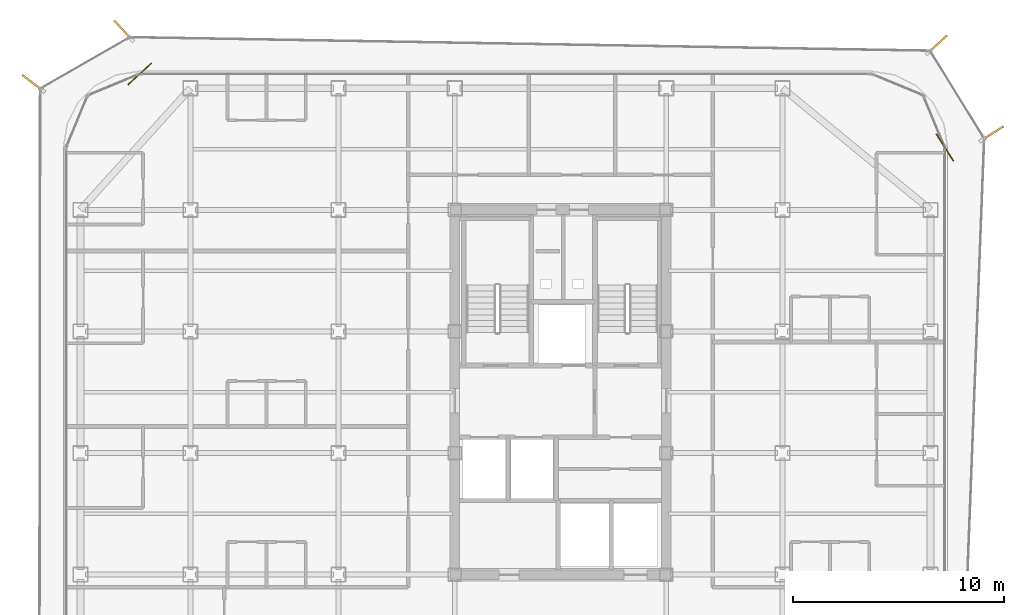
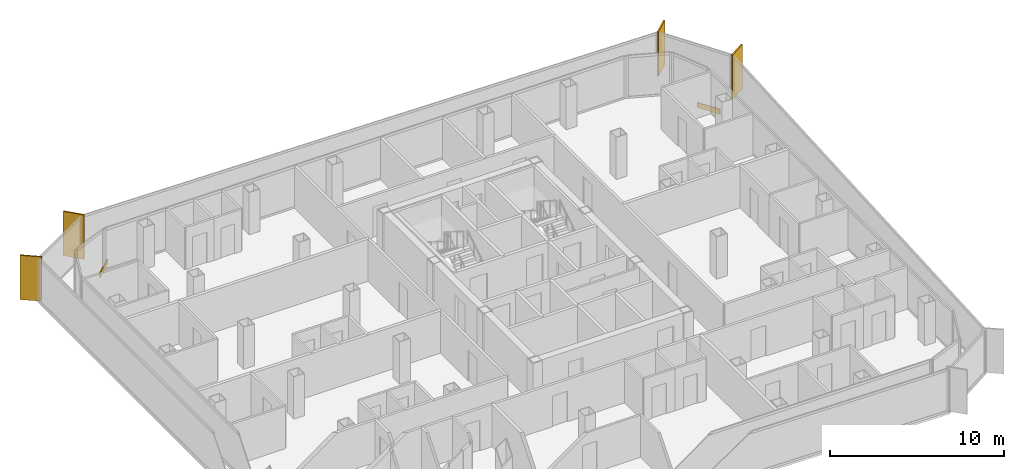
# One storey, part 16 of 16: 4 shading devices, 2 coverings.
"""IFC4 building model written with IfcOpenShell, lengths in metres."""

from ifc_helpers import new_model, si_unit, direction, frame, origin, origin_2d, place, context, subcontext, project, spatial, rectangle, extrude, source, transform, mapped, material, layer, layer_set, type_object, element, save


model = new_model("IFC4")

# Units and contexts
model_context = context("Model", 3, precision=1e-05, world=origin(), true_north=direction((0.0, 1.0)))
body_context = subcontext(model_context, "Body", "Model", "MODEL_VIEW")
ifc_project = project(units=[si_unit("LENGTHUNIT", "METRE"), si_unit("AREAUNIT", "SQUARE_METRE"), si_unit("VOLUMEUNIT", "CUBIC_METRE"), si_unit("PLANEANGLEUNIT", "RADIAN"), si_unit("MASSUNIT", "GRAM", prefix="KILO")], contexts=[model_context])

# Site, building, storey
site_placement = place(None, origin())
site = spatial("IfcSite", under=ifc_project, at=site_placement, CompositionType="ELEMENT")
building_placement = place(site_placement, origin())
building = spatial("IfcBuilding", under=site, at=building_placement, Name="Kolveth Station Tower", CompositionType="ELEMENT")
storey_placement = place(building_placement, frame((0.0, 0.0, 156.10009765625)))
storey = spatial("IfcBuildingStorey", under=building, at=storey_placement, Name="L43", CompositionType="ELEMENT", Elevation=156.10009765625)

# Shading devices
ifc_material_1 = material(Name="Black anodized aluminium 6063-T6", Category="aluminium")
shading_device_type = type_object("IfcShadingDeviceType", Name="FIN_VF1", PredefinedType="USERDEFINED", material=ifc_material_1)
shared_shape_1 = source(origin(), body_context, "Body", "SweptSolid", [
    extrude(rectangle(XDim=1.25, YDim=0.090087890625, at=origin_2d()), origin(), (0.0, 0.0, 1.0), 3.10009765625),
])
for number, where, z_axis, x_axis, name in (
    (1, (43.925048828125, 32.364990234375, -0.000244140625), (0.0, 0.0, 1.0), (0.84264041216, 0.538476680827, 0.0), "L43 Dark-Aluminium Solar Fin 3"),
    (2, (41.322021484375, 36.575927734375, -0.000244140625), (0.0, 0.0, 1.0), (0.73349265005, 0.679697382902, 0.0), "L43 Dark-Aluminium Solar Fin 4"),
    (3, (2.821044921875, 37.239990234375, -0.000244140625), (0.0, 0.0, 1.0), (-0.678159669868, 0.73491459515, 0.0), "L43 Dark-Aluminium Solar Fin 5"),
    (4, (-1.4580078125, 34.75390625, -0.000244140625), (0.0, 0.0, 1.0), (-0.794202557977, 0.607653105729, 0.0), "L43 Dark-Aluminium Solar Fin 6"),
):
    element("IfcShadingDevice", number, at=place(storey_placement, frame(where, z_axis=z_axis, x_axis=x_axis)), inside=storey, type_object=shading_device_type, Name=name, ObjectType="FIN", PredefinedType="USERDEFINED", context=body_context, shape_type="MappedRepresentation", body=[
        mapped(shared_shape_1, transform((0.0, 0.0, 0.0), x_axis=(1.0, 0.0, 0.0), y_axis=(0.0, 1.0, 0.0), z_axis=(0.0, 0.0, 1.0), scale=1.0)),
    ])

# Coverings
ifc_material_2 = material(Name="Charcoal anodized aluminium spandrel cladding", Category="aluminium")
ifc_layer = layer(ifc_material_2, 0.044921875)
ifc_layer_set = layer_set([ifc_layer], Name="Charcoal anodized aluminium spandrel cladding")
covering_type = type_object("IfcCoveringType", Name="Clad_CD1", PredefinedType="CLADDING", material=ifc_layer_set)
shared_shape_2 = source(origin(), body_context, "Body", "SweptSolid", [
    extrude(rectangle(XDim=1.5, YDim=0.044921875, at=origin_2d()), origin(), (0.0, 0.0, 1.0), 0.360107421875),
])
for number, where, z_axis, x_axis, name in (
    (5, (41.679931640625, 31.699951171875, 0.0), (0.0, 0.0, 1.0), (-0.538476680827, 0.84264041216, 0.0), "L43 Spandrel Edge Cladding 3"),
    (6, (3.60009765625, 35.179931640625, 0.0), (0.0, 0.0, 1.0), (-0.73491459515, -0.678159669868, 0.0), "L43 Spandrel Edge Cladding 5"),
):
    element("IfcCovering", number, at=place(storey_placement, frame(where, z_axis=z_axis, x_axis=x_axis)), inside=storey, type_object=covering_type, Name=name, PredefinedType="CLADDING", context=body_context, shape_type="MappedRepresentation", body=[
        mapped(shared_shape_2, transform((0.0, 0.0, 0.0), x_axis=(1.0, 0.0, 0.0), y_axis=(0.0, 1.0, 0.0), z_axis=(0.0, 0.0, 1.0), scale=1.0)),
    ])

save(model, "model.ifc")
